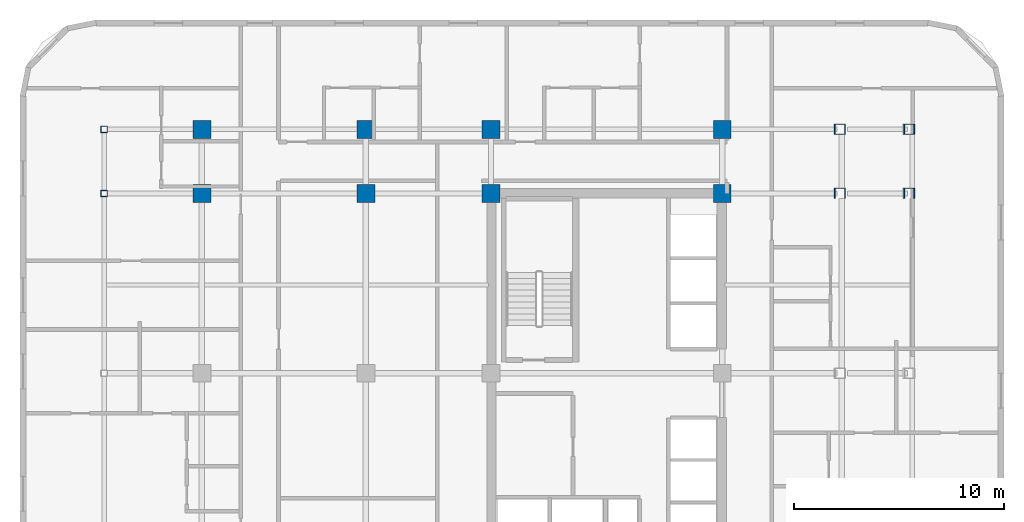
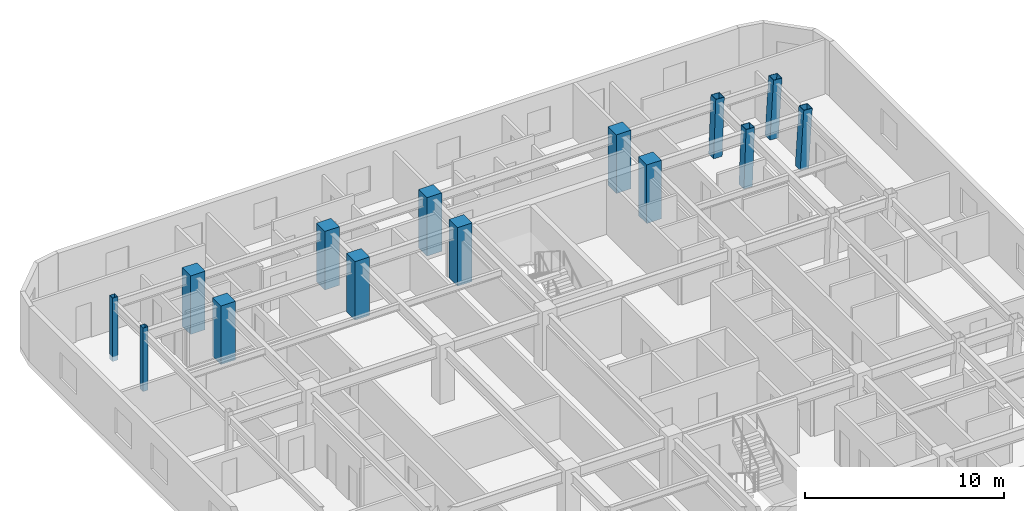
# One storey, part 3 of 12: 14 columns.
"""IFC4 building model written with IfcOpenShell, lengths in metres."""

import ifcopenshell
import ifcopenshell.guid

model = None  # the IFC model being written
_history = None  # IfcOwnerHistory: only IFC2X3 demands one
_inside = {}  # id of a spatial element -> (the spatial element, [elements in it])
_under = {}  # id of a project, library or spatial element -> (it, [spatial elements below it])
_declared = {}  # id of a project -> (the project, [libraries it declares])
_typed = {}  # id of a type object -> (the type object, [elements of that type])
_made_of = {}  # id of a material, layer set ... -> (it, [elements and type objects made of it])


def new_model(schema):
    """Start an empty IFC model of exactly this schema.

    Asked for "IFC4X3", IfcOpenShell would pick the latest addendum, in which some entities
    have other attributes; the version numbers below select the first issue.
    IFC2X3 requires an IfcOwnerHistory on every rooted entity: one is made here for all.
    """
    global model, _history
    if schema == "IFC4X3":
        model = ifcopenshell.file(schema_version=(4, 3, 0, 0))
    else:
        model = ifcopenshell.file(schema=schema)
    _inside.clear()
    _under.clear()
    _declared.clear()
    _typed.clear()
    _made_of.clear()
    _history = None
    if model.schema == "IFC2X3":
        org = make("IfcOrganization", Name="unknown")
        user = make(
            "IfcPersonAndOrganization",
            ThePerson=make("IfcPerson", FamilyName="unknown"),
            TheOrganization=org,
        )
        app = make(
            "IfcApplication",
            ApplicationDeveloper=org,
            Version="unknown",
            ApplicationFullName="unknown",
            ApplicationIdentifier="unknown",
        )
        _history = make(
            "IfcOwnerHistory",
            OwningUser=user,
            OwningApplication=app,
            ChangeAction="ADDED",
            CreationDate=0,
        )
    return model


def make(cls, **values):
    """One entity of the class cls with the attributes given. An attribute that is None is left unset."""
    return model.create_entity(
        cls, **{name: value for name, value in values.items() if value is not None}
    )


def rooted(cls, **values):
    """An entity with a GlobalId (a new one), such as an element, a storey or a relation."""
    return make(cls, GlobalId=ifcopenshell.guid.new(), OwnerHistory=_history, **values)


def si_unit(unit_type, name, prefix=None):
    """IfcSIUnit, for example si_unit("LENGTHUNIT", "METRE", prefix="MILLI")."""
    return make("IfcSIUnit", UnitType=unit_type, Prefix=prefix, Name=name)


def assignment(units):
    """IfcUnitAssignment: the units of a project."""
    return None if units is None else make("IfcUnitAssignment", Units=units)


def point(xyz):
    """IfcCartesianPoint."""
    return None if xyz is None else make("IfcCartesianPoint", Coordinates=xyz)


def direction(xyz):
    """IfcDirection."""
    return None if xyz is None else make("IfcDirection", DirectionRatios=xyz)


def frame(location, z_axis=None, x_axis=None):
    """IfcAxis2Placement3D, a coordinate frame: its origin and axes. An axis left out is left unset."""
    return make(
        "IfcAxis2Placement3D",
        Location=point(location),
        Axis=direction(z_axis),
        RefDirection=direction(x_axis),
    )


def frame_2d(location, x_axis=None):
    """IfcAxis2Placement2D, a coordinate frame in the plane: its origin and x axis."""
    return make(
        "IfcAxis2Placement2D", Location=point(location), RefDirection=direction(x_axis)
    )


def origin():
    """The frame at (0, 0, 0) with its axes left unset."""
    return frame((0.0, 0.0, 0.0))


def origin_2d():
    """The frame at (0, 0) in the plane with its x axis left unset."""
    return frame_2d((0.0, 0.0))


def place(relative_to, where):
    """IfcLocalPlacement: puts the frame where relative to a parent placement (None: the world)."""
    return make(
        "IfcLocalPlacement", PlacementRelTo=relative_to, RelativePlacement=where
    )


def context(
    kind, dimensions, precision=None, world=None, true_north=None, identifier=None
):
    """IfcGeometricRepresentationContext, for example the 3D "Model" context."""
    return make(
        "IfcGeometricRepresentationContext",
        ContextIdentifier=identifier,
        ContextType=kind,
        CoordinateSpaceDimension=dimensions,
        Precision=precision,
        WorldCoordinateSystem=world,
        TrueNorth=true_north,
    )


def subcontext(parent, identifier, kind, view, scale=None):
    """IfcGeometricRepresentationSubContext, for example "Body" below "Model"."""
    return make(
        "IfcGeometricRepresentationSubContext",
        ContextIdentifier=identifier,
        ContextType=kind,
        ParentContext=parent,
        TargetScale=scale,
        TargetView=view,
    )


def project(units=None, contexts=None):
    """IfcProject with its units and contexts."""
    return rooted(
        "IfcProject",
        Name="project",
        RepresentationContexts=contexts,
        UnitsInContext=assignment(units),
    )


def spatial(cls, under=None, at=None, **own):
    """A site, building, storey or space (cls), placed at a placement, below another one or the project."""
    s = rooted(cls, ObjectPlacement=at, **own)
    if under is not None:
        _under.setdefault(under.id(), (under, []))[1].append(s)
    return s


def profile(cls, at=None, kind="AREA", **sizes):
    """A parametric profile (cls). Its sizes go by their IFC names, for example OverallWidth=200.0."""
    return make(cls, ProfileType=kind, Position=at, **sizes)


def rectangle(**sizes):
    """IfcRectangleProfileDef."""
    return profile("IfcRectangleProfileDef", **sizes)


def hollow_rectangle(**sizes):
    """IfcRectangleHollowProfileDef."""
    return profile("IfcRectangleHollowProfileDef", **sizes)


def extrude(swept, where, along, depth):
    """IfcExtrudedAreaSolid: the profile swept, set in the frame where, extruded along a direction by depth."""
    return make(
        "IfcExtrudedAreaSolid",
        SweptArea=swept,
        Position=where,
        ExtrudedDirection=direction(along),
        Depth=depth,
    )


def shape(context_of_items, identifier, shape_type, items):
    """IfcShapeRepresentation: the items that make up one representation, for example the "Body"."""
    return make(
        "IfcShapeRepresentation",
        ContextOfItems=context_of_items,
        RepresentationIdentifier=identifier,
        RepresentationType=shape_type,
        Items=items,
    )


def material(Name=None, Category=None):
    """IfcMaterial."""
    return make("IfcMaterial", Name=Name, Category=Category)


def material_profile(
    of_material, cross_section, Name=None, Category=None, Priority=None
):
    """IfcMaterialProfile: a cross section and its material."""
    return make(
        "IfcMaterialProfile",
        Name=Name,
        Material=of_material,
        Profile=cross_section,
        Priority=Priority,
        Category=Category,
    )


def profile_set(profiles, Name=None, composite=None):
    """IfcMaterialProfileSet."""
    return make(
        "IfcMaterialProfileSet",
        Name=Name,
        MaterialProfiles=profiles,
        CompositeProfile=composite,
    )


def made_of(thing, what):
    """Note that an element or type object is made of a material, layer set ...; save() writes the relation."""
    if what is not None:
        _made_of.setdefault(what.id(), (what, []))[1].append(thing)
    return thing


def type_object(cls, material=None, **own):
    """A type object (cls), such as IfcWallType, which elements share."""
    return made_of(rooted(cls, **own), material)


def element(
    cls,
    number,
    at=None,
    inside=None,
    cuts=None,
    type_object=None,
    material=None,
    context=None,
    identifier="Body",
    shape_type=None,
    held_by="IfcProductDefinitionShape",
    body=None,
    shapes=None,
    **own,
):
    """One element of the class cls, such as IfcWall. Its Tag is "e" and its number.

    at: its placement. inside: the storey or other place that contains it. cuts: it is an
    opening in that element (IfcRelVoidsElement). A single representation is given by context,
    identifier, shape_type and body (its items); several are given by shapes. held_by: the class
    of the entity that holds the representations. save() writes the other relations.
    """
    e = rooted(cls, Tag="e%d" % number, ObjectPlacement=at, **own)
    if body is not None:
        shapes = [shape(context, identifier, shape_type, body)]
    if shapes is not None:
        e.Representation = make(held_by, Representations=shapes)
    if inside is not None:
        _inside.setdefault(inside.id(), (inside, []))[1].append(e)
    if cuts is not None:
        rooted(
            "IfcRelVoidsElement", RelatingBuildingElement=cuts, RelatedOpeningElement=e
        )
    if type_object is not None:
        _typed.setdefault(type_object.id(), (type_object, []))[1].append(e)
    return made_of(e, material)


def aggregate(whole, parts):
    """IfcRelAggregates: a whole, such as a stair, and the parts it consists of."""
    return rooted("IfcRelAggregates", RelatingObject=whole, RelatedObjects=parts)


def save(model, path):
    """Write the relations noted so far, then the file.

    IfcRelAggregates (storeys below a building ...), IfcRelContainedInSpatialStructure (elements
    in a storey), IfcRelDefinesByType, IfcRelAssociatesMaterial and IfcRelDeclares: one each for
    every whole, place, type object, material and project.
    """
    for whole, parts in _under.values():
        aggregate(whole, parts)
    for where, things in _inside.values():
        rooted(
            "IfcRelContainedInSpatialStructure",
            RelatedElements=things,
            RelatingStructure=where,
        )
    for kind, things in _typed.values():
        rooted("IfcRelDefinesByType", RelatedObjects=things, RelatingType=kind)
    for what, things in _made_of.values():
        rooted("IfcRelAssociatesMaterial", RelatedObjects=things, RelatingMaterial=what)
    for by, libraries in _declared.values():
        rooted("IfcRelDeclares", RelatingContext=by, RelatedDefinitions=libraries)
    model.write(path)


model = new_model("IFC4")

# Units and contexts
model_context = context("Model", 3, precision=1e-05, world=origin(), true_north=direction((0.0, 1.0)))
body_context = subcontext(model_context, "Body", "Model", "MODEL_VIEW")
ifc_project = project(units=[si_unit("LENGTHUNIT", "METRE"), si_unit("AREAUNIT", "SQUARE_METRE"), si_unit("VOLUMEUNIT", "CUBIC_METRE"), si_unit("PLANEANGLEUNIT", "RADIAN"), si_unit("MASSUNIT", "GRAM", prefix="KILO")], contexts=[model_context])

# Site, building, storey
site_placement = place(None, origin())
site = spatial("IfcSite", under=ifc_project, at=site_placement, CompositionType="ELEMENT")
building_placement = place(site_placement, origin())
building = spatial("IfcBuilding", under=site, at=building_placement, Name="Ochreholt Gables", CompositionType="ELEMENT")
storey_placement = place(building_placement, frame((0.0, 0.0, 24.0)))
storey = spatial("IfcBuildingStorey", under=building, at=storey_placement, Name="L05", CompositionType="ELEMENT", Elevation=24.0)

# Columns
ifc_material_1 = material(Name="Steel CSA G40.21 350W", Category="steel")
ifc_material_profile_1 = material_profile(ifc_material_1, hollow_rectangle(XDim=0.304931640625, YDim=0.304931640625, WallThickness=0.0126953125, at=origin_2d()), Name="HSS305X305X13")
ifc_profile_set_1 = profile_set([ifc_material_profile_1], Name="Steel CSA G40.21 350W")
column_type_1 = type_object("IfcColumnType", Name="COL-HSS305-EXT", PredefinedType="COLUMN", material=ifc_profile_set_1)
for number, where, z_axis, x_axis, name in (
    (1, (5.800048828125, 38.75, -0.300048828125), (0.0, 0.0, 1.0), (1.0, 0.0, 0.0), "L05 Column WTY5"),
    (2, (5.800048828125, 41.800048828125, -0.300048828125), (0.0, 0.0, 1.0), (1.0, 0.0, 0.0), "L05 Column WTY6"),
):
    element("IfcColumn", number, at=place(storey_placement, frame(where, z_axis=z_axis, x_axis=x_axis)), inside=storey, type_object=column_type_1, Name=name, PredefinedType="COLUMN", context=body_context, shape_type="SweptSolid", body=[
        extrude(hollow_rectangle(XDim=0.304931640625, YDim=0.304931640625, WallThickness=0.0126953125, at=origin_2d()), origin(), (0.0, 0.0, 1.0), 3.900146484375),
    ])
ifc_material_profile_2 = material_profile(ifc_material_1, hollow_rectangle(XDim=0.5, YDim=0.5, WallThickness=0.02197265625, at=origin_2d()), Name="HSS500X500X22")
ifc_profile_set_2 = profile_set([ifc_material_profile_2], Name="Steel CSA G40.21 350W")
column_type_2 = type_object("IfcColumnType", Name="COL-HSS500-RAK", PredefinedType="COLUMN", material=ifc_profile_set_2)
column_1_placement = place(storey_placement, frame((40.77587890625, 38.75, 0.0), z_axis=(0.035038826602, 0.0, 0.999385951788), x_axis=(0.0, 1.0, 0.0)))
element("IfcColumn", 3, at=column_1_placement, inside=storey, type_object=column_type_2, Name="L05 Column EMY5", PredefinedType="COLUMN", context=body_context, shape_type="SweptSolid", body=[
    extrude(hollow_rectangle(XDim=0.5, YDim=0.5, WallThickness=0.02197265625, at=origin_2d()), origin(), (0.0, 0.0, 1.0), 3.602294921875),
])
ifc_material_profile_3 = material_profile(ifc_material_1, hollow_rectangle(XDim=0.5, YDim=0.5, WallThickness=0.02197265625, at=origin_2d()), Name="HSS500X500X22")
ifc_profile_set_3 = profile_set([ifc_material_profile_3], Name="Steel CSA G40.21 350W")
column_type_3 = type_object("IfcColumnType", Name="COL-HSS500-RAKE", PredefinedType="COLUMN", material=ifc_profile_set_3)
column_2_placement = place(storey_placement, frame((40.77587890625, 41.800048828125, 0.0), z_axis=(0.035038826602, 0.0, 0.999385951788), x_axis=(0.0, 1.0, 0.0)))
element("IfcColumn", 4, at=column_2_placement, inside=storey, type_object=column_type_3, Name="L05 Column EMY6", PredefinedType="COLUMN", context=body_context, shape_type="SweptSolid", body=[
    extrude(hollow_rectangle(XDim=0.5, YDim=0.5, WallThickness=0.02197265625, at=origin_2d()), origin(), (0.0, 0.0, 1.0), 3.602294921875),
])
for number, where, z_axis, x_axis, name in (
    (5, (44.048828125, 38.75, 0.0), (0.057884606321, 0.0, 0.998323280481), (0.0, 1.0, 0.0), "L05 Column EEY5"),
    (6, (44.048828125, 41.800048828125, 0.0), (0.057884606321, 0.0, 0.998323280481), (0.0, 1.0, 0.0), "L05 Column EEY6"),
):
    element("IfcColumn", number, at=place(storey_placement, frame(where, z_axis=z_axis, x_axis=x_axis)), inside=storey, type_object=column_type_3, Name=name, PredefinedType="COLUMN", context=body_context, shape_type="SweptSolid", body=[
        extrude(hollow_rectangle(XDim=0.5, YDim=0.5, WallThickness=0.02197265625, at=origin_2d()), origin(), (0.0, 0.0, 1.0), 3.606201171875),
    ])
ifc_material_2 = material(Name="Concrete 60 MPa", Category="concrete")
ifc_material_profile_4 = material_profile(ifc_material_2, rectangle(XDim=0.85009765625, YDim=0.85009765625, at=origin_2d()), Name="RC850X850")
ifc_profile_set_4 = profile_set([ifc_material_profile_4], Name="Concrete 60 MPa")
column_type_4 = type_object("IfcColumnType", Name="COL-RC850-EXT", PredefinedType="COLUMN", material=ifc_profile_set_4)
for number, where, z_axis, x_axis, name in (
    (7, (10.449951171875, 41.800048828125, 0.0), (0.0, 0.0, 1.0), (1.0, 0.0, 0.0), "L05 Column W2Y6"),
    (8, (18.25, 41.800048828125, 0.0), (0.0, 0.0, 1.0), (1.0, 0.0, 0.0), "L05 Column W3Y6"),
    (9, (24.199951171875, 41.800048828125, 0.0), (0.0, 0.0, 1.0), (1.0, 0.0, 0.0), "L05 Column C1Y6"),
    (10, (35.199951171875, 41.800048828125, 0.0), (0.0, 0.0, 1.0), (1.0, 0.0, 0.0), "L05 Column C2Y6"),
):
    element("IfcColumn", number, at=place(storey_placement, frame(where, z_axis=z_axis, x_axis=x_axis)), inside=storey, type_object=column_type_4, Name=name, PredefinedType="COLUMN", context=body_context, shape_type="SweptSolid", body=[
        extrude(rectangle(XDim=0.85009765625, YDim=0.85009765625, at=origin_2d()), origin(), (0.0, 0.0, 1.0), 3.60009765625),
    ])
ifc_material_profile_5 = material_profile(ifc_material_2, rectangle(XDim=0.85009765625, YDim=0.85009765625, at=origin_2d()), Name="RC850X850")
ifc_profile_set_5 = profile_set([ifc_material_profile_5], Name="Concrete 60 MPa")
column_type_5 = type_object("IfcColumnType", Name="COL-RC850-INT", PredefinedType="COLUMN", material=ifc_profile_set_5)
for number, where, z_axis, x_axis, name in (
    (11, (10.449951171875, 38.75, 0.0), (0.0, 0.0, 1.0), (1.0, 0.0, 0.0), "L05 Column W2Y5"),
    (12, (18.25, 38.75, 0.0), (0.0, 0.0, 1.0), (1.0, 0.0, 0.0), "L05 Column W3Y5"),
    (13, (24.199951171875, 38.75, 0.0), (0.0, 0.0, 1.0), (1.0, 0.0, 0.0), "L05 Column C1Y5"),
    (14, (35.199951171875, 38.75, 0.0), (0.0, 0.0, 1.0), (1.0, 0.0, 0.0), "L05 Column C2Y5"),
):
    element("IfcColumn", number, at=place(storey_placement, frame(where, z_axis=z_axis, x_axis=x_axis)), inside=storey, type_object=column_type_5, Name=name, PredefinedType="COLUMN", context=body_context, shape_type="SweptSolid", body=[
        extrude(rectangle(XDim=0.85009765625, YDim=0.85009765625, at=origin_2d()), origin(), (0.0, 0.0, 1.0), 3.60009765625),
    ])

save(model, "model.ifc")
